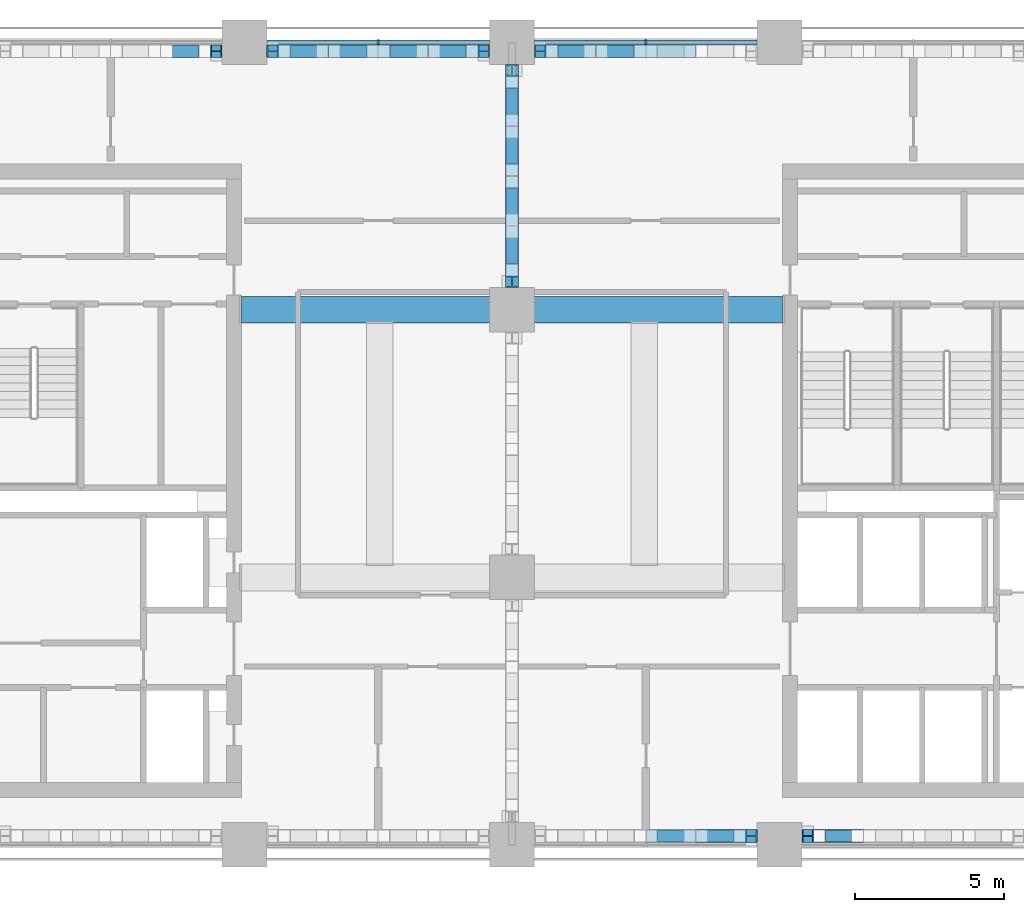
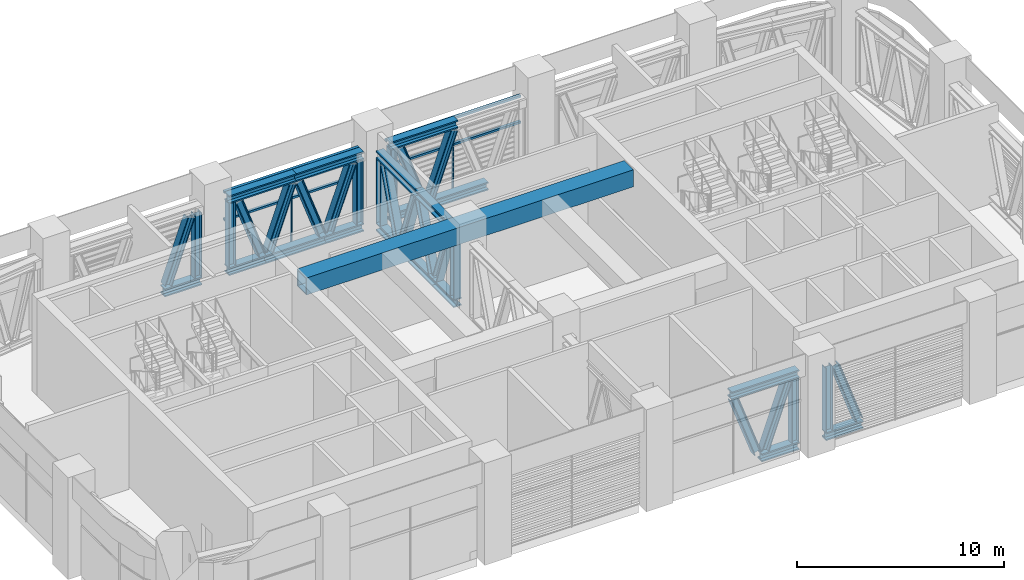
# One storey, part 5 of 19: 45 members, 1 beam, 2 elements without a shape of their own.
"""IFC4 building model written with IfcOpenShell, lengths in metres."""

from ifc_helpers import new_model, si_unit, direction, frame, origin, origin_2d, place, context, subcontext, project, spatial, rectangle, hollow_rectangle, i_section, extrude, material, material_profile, profile_set, type_object, element, aggregate, save


model = new_model("IFC4")

# Units and contexts
model_context = context("Model", 3, precision=1e-05, world=origin(), true_north=direction((0.0, 1.0)))
body_context = subcontext(model_context, "Body", "Model", "MODEL_VIEW")
ifc_project = project(units=[si_unit("LENGTHUNIT", "METRE"), si_unit("AREAUNIT", "SQUARE_METRE"), si_unit("VOLUMEUNIT", "CUBIC_METRE"), si_unit("PLANEANGLEUNIT", "RADIAN"), si_unit("MASSUNIT", "GRAM", prefix="KILO")], contexts=[model_context])

# Site, building, storey
site_placement = place(None, origin())
site = spatial("IfcSite", under=ifc_project, at=site_placement, CompositionType="ELEMENT")
building_placement = place(site_placement, origin())
building = spatial("IfcBuilding", under=site, at=building_placement, Name="Tessera Arch", CompositionType="ELEMENT")
storey_placement = place(building_placement, frame((0.0, 0.0, 197.300048828125)))
storey = spatial("IfcBuildingStorey", under=building, at=storey_placement, Name="L47", CompositionType="ELEMENT", Elevation=197.300048828125)

# Curtain wall, member
ifc_material_1 = material(Name="CW7 curtain wall")
curtain_wall_type = type_object("IfcCurtainWallType", Name="CW7 curtain wall", PredefinedType="NOTDEFINED", material=ifc_material_1)
curtain_wall_1_placement = place(storey_placement, origin())
curtain_wall_1 = element("IfcCurtainWall", 1, at=curtain_wall_1_placement, inside=storey, type_object=curtain_wall_type, Name="CW7 curtain wall N54.0/2 L47", PredefinedType="NOTDEFINED")
ifc_material_2 = material(Name="Anodised aluminium pale metal", Category="aluminium")
ifc_material_profile_1 = material_profile(ifc_material_2, rectangle(XDim=0.159912109375, YDim=0.06005859375, at=origin_2d()), Name="AL 60x160")
ifc_profile_set_1 = profile_set([ifc_material_profile_1], Name="Anodised aluminium pale metal")
member_type_1 = type_object("IfcMemberType", Name="CW7 mullion", PredefinedType="MULLION", material=ifc_profile_set_1)
member_1_placement = place(storey_placement, frame((31.5, 54.0, 0.0), z_axis=(0.0, 0.0, 1.0), x_axis=(0.0, -1.0, 0.0)))
member_1 = element("IfcMember", 2, at=member_1_placement, type_object=member_type_1, Name="CW7 mullion N54.0/2 1", PredefinedType="MULLION", context=body_context, shape_type="SweptSolid", body=[
    extrude(rectangle(XDim=0.159912109375, YDim=0.06005859375, at=origin_2d()), origin(), (0.0, 0.0, 1.0), 4.469970703125),
])

curtain_wall_2_placement = place(storey_placement, origin())
curtain_wall_2 = element("IfcCurtainWall", 3, at=curtain_wall_2_placement, inside=storey, type_object=curtain_wall_type, Name="CW7 curtain wall N54.0/3 L47", PredefinedType="NOTDEFINED")
member_2_placement = place(storey_placement, frame((22.5, 54.0, 0.0), z_axis=(0.0, 0.0, 1.0), x_axis=(0.0, -1.0, 0.0)))
member_2 = element("IfcMember", 4, at=member_2_placement, type_object=member_type_1, Name="CW7 mullion N54.0/3 1", PredefinedType="MULLION", context=body_context, shape_type="SweptSolid", body=[
    extrude(rectangle(XDim=0.159912109375, YDim=0.06005859375, at=origin_2d()), origin(), (0.0, 0.0, 1.0), 4.579833984375),
])

# Member
ifc_material_3 = material(Name="Anodised aluminium pale metal", Category="aluminium")
ifc_material_profile_2 = material_profile(ifc_material_3, rectangle(XDim=0.159912109375, YDim=0.1201171875, at=origin_2d()), Name="AL 160x120")
ifc_profile_set_2 = profile_set([ifc_material_profile_2], Name="Anodised aluminium pale metal")
member_type_2 = type_object("IfcMemberType", Name="CW7 transom", PredefinedType="USERDEFINED", material=ifc_profile_set_2)
member_3_placement = place(storey_placement, frame((35.25, 54.0, 4.530029296875), z_axis=(-1.0, 0.0, 0.0), x_axis=(0.0, -1.0, 0.0)))
member_3 = element("IfcMember", 5, at=member_3_placement, type_object=member_type_2, Name="CW7 transom N54.0/2 1.1", ObjectType="TRANSOM", PredefinedType="USERDEFINED", context=body_context, shape_type="SweptSolid", body=[
    extrude(rectangle(XDim=0.159912109375, YDim=0.1201171875, at=origin_2d()), origin(), (0.0, 0.0, 1.0), 7.5),
])

member_4_placement = place(storey_placement, frame((35.25, 54.0, 3.0), z_axis=(-1.0, 0.0, 0.0), x_axis=(0.0, -1.0, 0.0)))
member_4 = element("IfcMember", 6, at=member_4_placement, type_object=member_type_2, Name="CW7 transom N54.0/2 2.1", ObjectType="TRANSOM", PredefinedType="USERDEFINED", context=body_context, shape_type="SweptSolid", body=[
    extrude(rectangle(XDim=0.159912109375, YDim=0.1201171875, at=origin_2d()), origin(), (0.0, 0.0, 1.0), 7.5),
])

aggregate(curtain_wall_1, [member_1, member_3, member_4])

member_5_placement = place(storey_placement, frame((26.25, 54.0, 4.639892578125), z_axis=(-1.0, 0.0, 0.0), x_axis=(0.0, -1.0, 0.0)))
member_5 = element("IfcMember", 7, at=member_5_placement, type_object=member_type_2, Name="CW7 transom N54.0/3 1.1", ObjectType="TRANSOM", PredefinedType="USERDEFINED", context=body_context, shape_type="SweptSolid", body=[
    extrude(rectangle(XDim=0.159912109375, YDim=0.1201171875, at=origin_2d()), origin(), (0.0, 0.0, 1.0), 7.5),
])

member_6_placement = place(storey_placement, frame((26.25, 54.0, 3.0), z_axis=(-1.0, 0.0, 0.0), x_axis=(0.0, -1.0, 0.0)))
member_6 = element("IfcMember", 8, at=member_6_placement, type_object=member_type_2, Name="CW7 transom N54.0/3 2.1", ObjectType="TRANSOM", PredefinedType="USERDEFINED", context=body_context, shape_type="SweptSolid", body=[
    extrude(rectangle(XDim=0.159912109375, YDim=0.1201171875, at=origin_2d()), origin(), (0.0, 0.0, 1.0), 7.5),
])

aggregate(curtain_wall_2, [member_2, member_5, member_6])

# Beam
ifc_material_4 = material(Name="Steel A572 Gr50", Category="steel")
ifc_material_profile_3 = material_profile(ifc_material_4, hollow_rectangle(XDim=0.89990234375, YDim=1.0, WallThickness=0.06005859375, at=origin_2d()), Name="BOX 900x1000x60")
ifc_profile_set_3 = profile_set([ifc_material_profile_3], Name="Steel A572 Gr50")
beam_type = type_object("IfcBeamType", Name="Portal girder BOX 900x1000x60", PredefinedType="BEAM", material=ifc_profile_set_3)
beam_placement = place(storey_placement, frame((17.89990234375, 45.0, 5.08984375), z_axis=(1.0, 0.0, 0.0), x_axis=(0.0, 1.0, 0.0)))
element("IfcBeam", 9, at=beam_placement, inside=storey, type_object=beam_type, Name="Portal girder y45", PredefinedType="BEAM", context=body_context, shape_type="SweptSolid", body=[
    extrude(hollow_rectangle(XDim=0.89990234375, YDim=1.0, WallThickness=0.06005859375, at=origin_2d()), origin(), (0.0, 0.0, 1.0), 18.2001953125),
])

# Members
ifc_material_5 = material(Name="Steel A992 Gr50", Category="steel")
ifc_material_profile_4 = material_profile(ifc_material_5, i_section(OverallWidth=0.424072265625, OverallDepth=0.47412109375, WebThickness=0.047607421875, FlangeThickness=0.0771484375, at=origin_2d()), Name="W14x426")
ifc_profile_set_4 = profile_set([ifc_material_profile_4], Name="Steel A992 Gr50")
member_type_3 = type_object("IfcMemberType", Name="Truss chord W14x426", PredefinedType="CHORD", material=ifc_profile_set_4)
member_7_placement = place(storey_placement, frame((31.5, 53.699951171875, 4.462890625), z_axis=(-1.0, 0.0, 0.0), x_axis=(0.0, -1.0, 0.0)))
element("IfcMember", 10, at=member_7_placement, inside=storey, type_object=member_type_3, Name="Belt truss top chord 2", PredefinedType="CHORD", context=body_context, shape_type="SweptSolid", body=[
    extrude(i_section(OverallWidth=0.424072265625, OverallDepth=0.47412109375, WebThickness=0.047607421875, FlangeThickness=0.0771484375, at=origin_2d()), origin(), (0.0, 0.0, 1.0), 3.75),
])
member_8_placement = place(storey_placement, frame((33.17822265625, 53.699951171875, 0.237060546875), z_axis=(-1.0, 0.0, 0.0), x_axis=(0.0, -1.0, 0.0)))
element("IfcMember", 11, at=member_8_placement, inside=storey, type_object=member_type_3, Name="Belt truss bottom chord 2", PredefinedType="CHORD", context=body_context, shape_type="SweptSolid", body=[
    extrude(i_section(OverallWidth=0.424072265625, OverallDepth=0.47412109375, WebThickness=0.047607421875, FlangeThickness=0.0771484375, at=origin_2d()), origin(), (0.0, 0.0, 1.0), 3.3564453125),
])
member_9_placement = place(storey_placement, frame((29.82177734375, 53.699951171875, 0.237060546875), z_axis=(-1.0, 0.0, 0.0), x_axis=(0.0, -1.0, 0.0)))
element("IfcMember", 12, at=member_9_placement, inside=storey, type_object=member_type_3, Name="Belt truss bottom chord 3", PredefinedType="CHORD", context=body_context, shape_type="SweptSolid", body=[
    extrude(i_section(OverallWidth=0.424072265625, OverallDepth=0.47412109375, WebThickness=0.047607421875, FlangeThickness=0.0771484375, at=origin_2d()), origin(), (0.0, 0.0, 1.0), 2.07177734375),
])
for number, where, z_axis, x_axis, name in (
    (13, (26.25, 53.699951171875, 4.462890625), (-1.0, 0.0, 0.0), (0.0, -1.0, 0.0), "Belt truss top chord 1"),
    (14, (22.5, 53.699951171875, 4.462890625), (-1.0, 0.0, 0.0), (0.0, -1.0, 0.0), "Belt truss top chord 2"),
):
    element("IfcMember", number, at=place(storey_placement, frame(where, z_axis=z_axis, x_axis=x_axis)), inside=storey, type_object=member_type_3, Name=name, PredefinedType="CHORD", context=body_context, shape_type="SweptSolid", body=[
        extrude(i_section(OverallWidth=0.424072265625, OverallDepth=0.47412109375, WebThickness=0.047607421875, FlangeThickness=0.0771484375, at=origin_2d()), origin(), (0.0, 0.0, 1.0), 3.75),
    ])
member_10_placement = place(storey_placement, frame((26.25, 53.699951171875, 0.237060546875), z_axis=(-1.0, 0.0, 0.0), x_axis=(0.0, -1.0, 0.0)))
element("IfcMember", 15, at=member_10_placement, inside=storey, type_object=member_type_3, Name="Belt truss bottom chord 1", PredefinedType="CHORD", context=body_context, shape_type="SweptSolid", body=[
    extrude(i_section(OverallWidth=0.424072265625, OverallDepth=0.47412109375, WebThickness=0.047607421875, FlangeThickness=0.0771484375, at=origin_2d()), origin(), (0.0, 0.0, 1.0), 2.07177734375),
])
member_11_placement = place(storey_placement, frame((24.17822265625, 53.699951171875, 0.237060546875), z_axis=(-1.0, 0.0, 0.0), x_axis=(0.0, -1.0, 0.0)))
element("IfcMember", 16, at=member_11_placement, inside=storey, type_object=member_type_3, Name="Belt truss bottom chord 2", PredefinedType="CHORD", context=body_context, shape_type="SweptSolid", body=[
    extrude(i_section(OverallWidth=0.424072265625, OverallDepth=0.47412109375, WebThickness=0.047607421875, FlangeThickness=0.0771484375, at=origin_2d()), origin(), (0.0, 0.0, 1.0), 3.3564453125),
])
for number, where, z_axis, x_axis, name in (
    (17, (20.82177734375, 53.699951171875, 0.237060546875), (-1.0, 0.0, 0.0), (0.0, -1.0, 0.0), "Belt truss bottom chord 3"),
    (18, (17.25, 53.699951171875, 0.237060546875), (-1.0, 0.0, 0.0), (0.0, -1.0, 0.0), "Belt truss bottom chord 1"),
):
    element("IfcMember", number, at=place(storey_placement, frame(where, z_axis=z_axis, x_axis=x_axis)), inside=storey, type_object=member_type_3, Name=name, PredefinedType="CHORD", context=body_context, shape_type="SweptSolid", body=[
        extrude(i_section(OverallWidth=0.424072265625, OverallDepth=0.47412109375, WebThickness=0.047607421875, FlangeThickness=0.0771484375, at=origin_2d()), origin(), (0.0, 0.0, 1.0), 2.07177734375),
    ])
member_12_placement = place(storey_placement, frame((31.5, 27.300048828125, 4.462890625), z_axis=(1.0, 0.0, 0.0), x_axis=(0.0, 1.0, 0.0)))
element("IfcMember", 19, at=member_12_placement, inside=storey, type_object=member_type_3, Name="Belt truss top chord 2", PredefinedType="CHORD", context=body_context, shape_type="SweptSolid", body=[
    extrude(i_section(OverallWidth=0.424072265625, OverallDepth=0.47412109375, WebThickness=0.047607421875, FlangeThickness=0.0771484375, at=origin_2d()), origin(), (0.0, 0.0, 1.0), 3.75),
])
for number, where, z_axis, x_axis, name in (
    (20, (33.17822265625, 27.300048828125, 0.237060546875), (1.0, 0.0, 0.0), (0.0, 1.0, 0.0), "Belt truss bottom chord 3"),
    (21, (36.75, 27.300048828125, 0.237060546875), (1.0, 0.0, 0.0), (0.0, 1.0, 0.0), "Belt truss bottom chord 1"),
):
    element("IfcMember", number, at=place(storey_placement, frame(where, z_axis=z_axis, x_axis=x_axis)), inside=storey, type_object=member_type_3, Name=name, PredefinedType="CHORD", context=body_context, shape_type="SweptSolid", body=[
        extrude(i_section(OverallWidth=0.424072265625, OverallDepth=0.47412109375, WebThickness=0.047607421875, FlangeThickness=0.0771484375, at=origin_2d()), origin(), (0.0, 0.0, 1.0), 2.07177734375),
    ])
for number, where, z_axis, x_axis, name in (
    (22, (27.0, 45.75, 4.462890625), (0.0, 1.0, 0.0), (-1.0, 0.0, 0.0), "Belt truss top chord 1"),
    (23, (27.0, 49.5, 4.462890625), (0.0, 1.0, 0.0), (-1.0, 0.0, 0.0), "Belt truss top chord 2"),
):
    element("IfcMember", number, at=place(storey_placement, frame(where, z_axis=z_axis, x_axis=x_axis)), inside=storey, type_object=member_type_3, Name=name, PredefinedType="CHORD", context=body_context, shape_type="SweptSolid", body=[
        extrude(i_section(OverallWidth=0.424072265625, OverallDepth=0.47412109375, WebThickness=0.047607421875, FlangeThickness=0.0771484375, at=origin_2d()), origin(), (0.0, 0.0, 1.0), 3.75),
    ])
member_13_placement = place(storey_placement, frame((27.0, 45.75, 0.237060546875), z_axis=(0.0, 1.0, 0.0), x_axis=(-1.0, 0.0, 0.0)))
element("IfcMember", 24, at=member_13_placement, inside=storey, type_object=member_type_3, Name="Belt truss bottom chord 1", PredefinedType="CHORD", context=body_context, shape_type="SweptSolid", body=[
    extrude(i_section(OverallWidth=0.424072265625, OverallDepth=0.47412109375, WebThickness=0.047607421875, FlangeThickness=0.0771484375, at=origin_2d()), origin(), (0.0, 0.0, 1.0), 2.072021484375),
])
member_14_placement = place(storey_placement, frame((27.0, 47.822021484375, 0.237060546875), z_axis=(0.0, 1.0, 0.0), x_axis=(-1.0, 0.0, 0.0)))
element("IfcMember", 25, at=member_14_placement, inside=storey, type_object=member_type_3, Name="Belt truss bottom chord 2", PredefinedType="CHORD", context=body_context, shape_type="SweptSolid", body=[
    extrude(i_section(OverallWidth=0.424072265625, OverallDepth=0.47412109375, WebThickness=0.047607421875, FlangeThickness=0.0771484375, at=origin_2d()), origin(), (0.0, 0.0, 1.0), 3.35595703125),
])
member_15_placement = place(storey_placement, frame((27.0, 51.177978515625, 0.237060546875), z_axis=(0.0, 1.0, 0.0), x_axis=(-1.0, 0.0, 0.0)))
element("IfcMember", 26, at=member_15_placement, inside=storey, type_object=member_type_3, Name="Belt truss bottom chord 3", PredefinedType="CHORD", context=body_context, shape_type="SweptSolid", body=[
    extrude(i_section(OverallWidth=0.424072265625, OverallDepth=0.47412109375, WebThickness=0.047607421875, FlangeThickness=0.0771484375, at=origin_2d()), origin(), (0.0, 0.0, 1.0), 2.072021484375),
])
ifc_material_6 = material(Name="Steel A992 Gr50", Category="steel")
ifc_material_profile_5 = material_profile(ifc_material_6, i_section(OverallWidth=0.406494140625, OverallDepth=0.41650390625, WebThickness=0.030029296875, FlangeThickness=0.048095703125, at=origin_2d()), Name="W14x257")
ifc_profile_set_5 = profile_set([ifc_material_profile_5], Name="Steel A992 Gr50")
member_type_4 = type_object("IfcMemberType", Name="Truss diagonal W14x257", PredefinedType="BRACE", material=ifc_profile_set_5)
for number, where, z_axis, x_axis, name in (
    (27, (31.2978515625, 53.699951171875, 4.138916015625), (-0.335371083549, 0.0, -0.94208610876), (0.0, -1.0, 0.0), "Belt truss diagonal 3"),
    (28, (29.61962890625, 53.699951171875, 0.56103515625), (-0.335371083549, 0.0, 0.94208610876), (0.0, -1.0, 0.0), "Belt truss diagonal 4"),
    (29, (25.654052734375, 53.699951171875, 4.138916015625), (-0.335371083549, 0.0, -0.94208610876), (0.0, -1.0, 0.0), "Belt truss diagonal 1"),
    (30, (23.975830078125, 53.699951171875, 0.56103515625), (-0.335371083549, 0.0, 0.94208610876), (0.0, -1.0, 0.0), "Belt truss diagonal 2"),
    (31, (22.2978515625, 53.699951171875, 4.138916015625), (-0.335371083549, 0.0, -0.94208610876), (0.0, -1.0, 0.0), "Belt truss diagonal 3"),
    (32, (20.61962890625, 53.699951171875, 0.56103515625), (-0.335371083549, 0.0, 0.94208610876), (0.0, -1.0, 0.0), "Belt truss diagonal 4"),
    (33, (16.654052734375, 53.699951171875, 4.138916015625), (-0.335371083549, 0.0, -0.94208610876), (0.0, -1.0, 0.0), "Belt truss diagonal 1"),
    (34, (31.7021484375, 27.300048828125, 4.138916015625), (0.335371083549, 0.0, -0.94208610876), (0.0, 1.0, 0.0), "Belt truss diagonal 3"),
    (35, (33.38037109375, 27.300048828125, 0.56103515625), (0.335371083549, 0.0, 0.94208610876), (0.0, 1.0, 0.0), "Belt truss diagonal 4"),
    (36, (37.345947265625, 27.300048828125, 4.138916015625), (0.335371083549, 0.0, -0.94208610876), (0.0, 1.0, 0.0), "Belt truss diagonal 1"),
    (37, (27.0, 46.345947265625, 4.138916015625), (0.0, 0.335371083549, -0.94208610876), (-1.0, 0.0, 0.0), "Belt truss diagonal 1"),
    (38, (27.0, 48.024169921875, 0.56103515625), (0.0, 0.335371083549, 0.94208610876), (-1.0, 0.0, 0.0), "Belt truss diagonal 2"),
    (39, (27.0, 49.7021484375, 4.138916015625), (0.0, 0.335371083549, -0.94208610876), (-1.0, 0.0, 0.0), "Belt truss diagonal 3"),
    (40, (27.0, 51.38037109375, 0.56103515625), (0.0, 0.335371083549, 0.94208610876), (-1.0, 0.0, 0.0), "Belt truss diagonal 4"),
):
    element("IfcMember", number, at=place(storey_placement, frame(where, z_axis=z_axis, x_axis=x_axis)), inside=storey, type_object=member_type_4, Name=name, PredefinedType="BRACE", context=body_context, shape_type="SweptSolid", body=[
        extrude(i_section(OverallWidth=0.406494140625, OverallDepth=0.41650390625, WebThickness=0.030029296875, FlangeThickness=0.048095703125, at=origin_2d()), origin(), (0.0, 0.0, 1.0), 3.7978515625),
    ])
ifc_material_7 = material(Name="Steel A992 Gr50", Category="steel")
ifc_material_profile_6 = material_profile(ifc_material_7, i_section(OverallWidth=0.398681640625, OverallDepth=0.393798828125, WebThickness=0.022705078125, FlangeThickness=0.03662109375, at=origin_2d()), Name="W14x193")
ifc_profile_set_6 = profile_set([ifc_material_profile_6], Name="Steel A992 Gr50")
member_type_5 = type_object("IfcMemberType", Name="Truss post W14x193", PredefinedType="POST", material=ifc_profile_set_6)
for number, where, z_axis, x_axis, name in (
    (41, (27.94677734375, 53.699951171875, 0.47412109375), (0.0, 0.0, 1.0), (0.0, 1.0, 0.0), "Belt truss end post 2"),
    (42, (26.05322265625, 53.699951171875, 0.47412109375), (0.0, 0.0, 1.0), (0.0, 1.0, 0.0), "Belt truss end post 1"),
    (43, (18.94677734375, 53.699951171875, 0.47412109375), (0.0, 0.0, 1.0), (0.0, 1.0, 0.0), "Belt truss end post 2"),
    (44, (17.05322265625, 53.699951171875, 0.47412109375), (0.0, 0.0, 1.0), (0.0, 1.0, 0.0), "Belt truss end post 1"),
    (45, (35.05322265625, 27.300048828125, 0.47412109375), (0.0, 0.0, 1.0), (0.0, 1.0, 0.0), "Belt truss end post 2"),
    (46, (36.94677734375, 27.300048828125, 0.47412109375), (0.0, 0.0, 1.0), (0.0, 1.0, 0.0), "Belt truss end post 1"),
    (47, (27.0, 45.947021484375, 0.47412109375), (0.0, 0.0, 1.0), (1.0, 0.0, 0.0), "Belt truss end post 1"),
    (48, (27.0, 53.052978515625, 0.47412109375), (0.0, 0.0, 1.0), (1.0, 0.0, 0.0), "Belt truss end post 2"),
):
    element("IfcMember", number, at=place(storey_placement, frame(where, z_axis=z_axis, x_axis=x_axis)), inside=storey, type_object=member_type_5, Name=name, PredefinedType="POST", context=body_context, shape_type="SweptSolid", body=[
        extrude(i_section(OverallWidth=0.398681640625, OverallDepth=0.393798828125, WebThickness=0.022705078125, FlangeThickness=0.03662109375, at=origin_2d()), origin(), (0.0, 0.0, 1.0), 3.751708984375),
    ])

save(model, "model.ifc")
